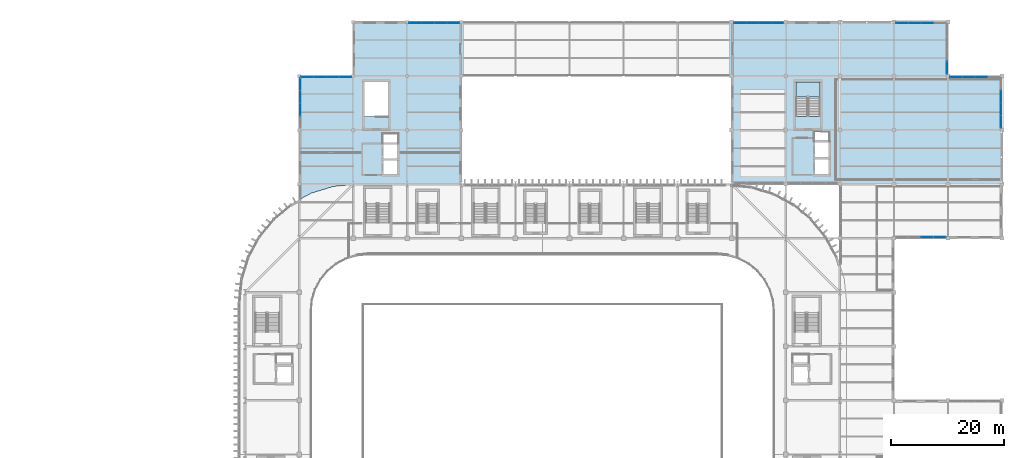
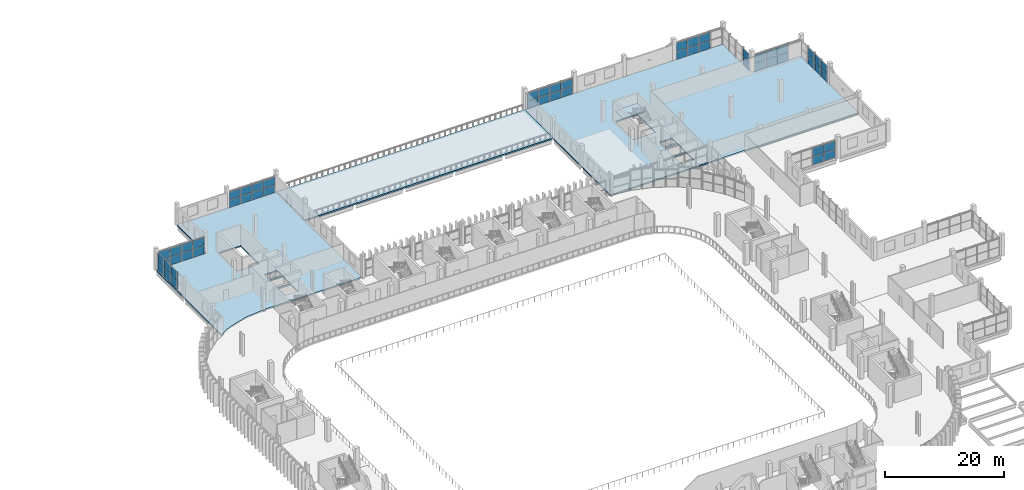
# One storey, part 42 of 75: 54 plates, 4 slabs, 10 elements without a shape of their own.
"""IFC4 building model written with IfcOpenShell, lengths in metres."""

from ifc_helpers import new_model, si_unit, direction, frame, origin, origin_2d, place, context, subcontext, project, spatial, polyline, rectangle, outline, extrude, material, layer, layer_set, type_object, element, aggregate, save


model = new_model("IFC4")

# Units and contexts
model_context = context("Model", 3, precision=1e-05, world=origin(), true_north=direction((0.0, 1.0)))
body_context = subcontext(model_context, "Body", "Model", "MODEL_VIEW")
ifc_project = project(units=[si_unit("LENGTHUNIT", "METRE"), si_unit("AREAUNIT", "SQUARE_METRE"), si_unit("VOLUMEUNIT", "CUBIC_METRE"), si_unit("PLANEANGLEUNIT", "RADIAN"), si_unit("MASSUNIT", "GRAM", prefix="KILO")], contexts=[model_context])

# Site, building, storey
site_placement = place(None, origin())
site = spatial("IfcSite", under=ifc_project, at=site_placement, CompositionType="ELEMENT")
building_placement = place(site_placement, origin())
building = spatial("IfcBuilding", under=site, at=building_placement, Name="Caelomonte Colonnade Arena", CompositionType="ELEMENT")
storey_placement = place(building_placement, frame((0.0, 0.0, 14.10009765625)))
storey = spatial("IfcBuildingStorey", under=building, at=storey_placement, Name="L03", CompositionType="ELEMENT", Elevation=14.10009765625)

# Curtain wall, plates
ifc_material_1 = material(Name="Bronze anodised aluminium and low-E glazing", Category="aluminium")
ifc_layer_1 = layer(ifc_material_1, 0.179931640625)
ifc_layer_set_1 = layer_set([ifc_layer_1], Name="Bronze anodised aluminium and low-E glazing")
curtain_wall_type_1 = type_object("IfcCurtainWallType", Name="ENV-CW-CW-L03-96-36", PredefinedType="USERDEFINED", material=ifc_layer_set_1)
curtain_wall_1_placement = place(storey_placement, origin())
curtain_wall_1 = element("IfcCurtainWall", 1, at=curtain_wall_1_placement, inside=storey, type_object=curtain_wall_type_1, Name="L03 unitized curtain wall CW-L03-1776-1058", ObjectType="UNITIZED CURTAIN WALL", PredefinedType="USERDEFINED")
ifc_material_2 = material(Name="Solar-control bronze low-E double glazing", Category="glass")
ifc_layer_2 = layer(ifc_material_2, 0.035888671875)
ifc_layer_set_2 = layer_set([ifc_layer_2], Name="Solar-control bronze low-E double glazing")
plate_type = type_object("IfcPlateType", Name="ENV-CW-PAN36", PredefinedType="CURTAIN_PANEL", material=ifc_layer_set_2)
plate_1_placement = place(storey_placement, frame((178.70751953125, 105.780029296875, 0.06494140625), z_axis=(0.0, 0.0, 1.0), x_axis=(1.0, 0.0, 0.0)))
plate_1 = element("IfcPlate", 2, at=plate_1_placement, type_object=plate_type, Name="CW-L03-96-36 panel 3.1", PredefinedType="CURTAIN_PANEL", context=body_context, shape_type="SweptSolid", body=[
    extrude(rectangle(XDim=2.14990234375, YDim=0.035888671875, at=origin_2d()), origin(), (0.0, 0.0, 1.0), 1.680908203125),
])
plate_2_placement = place(storey_placement, frame((178.70751953125, 105.780029296875, 1.810546875), z_axis=(0.0, 0.0, 1.0), x_axis=(1.0, 0.0, 0.0)))
plate_2 = element("IfcPlate", 3, at=plate_2_placement, type_object=plate_type, Name="CW-L03-96-36 panel 3.2", PredefinedType="CURTAIN_PANEL", context=body_context, shape_type="SweptSolid", body=[
    extrude(rectangle(XDim=2.14990234375, YDim=0.035888671875, at=origin_2d()), origin(), (0.0, 0.0, 1.0), 1.680908203125),
])
plate_3_placement = place(storey_placement, frame((180.90625, 105.780029296875, 0.06494140625), z_axis=(0.0, 0.0, 1.0), x_axis=(1.0, 0.0, 0.0)))
plate_3 = element("IfcPlate", 4, at=plate_3_placement, type_object=plate_type, Name="CW-L03-96-36 panel 4.1", PredefinedType="CURTAIN_PANEL", context=body_context, shape_type="SweptSolid", body=[
    extrude(rectangle(XDim=2.117431640625, YDim=0.035888671875, at=origin_2d()), origin(), (0.0, 0.0, 1.0), 1.680908203125),
])
plate_4_placement = place(storey_placement, frame((180.90625, 105.780029296875, 1.810546875), z_axis=(0.0, 0.0, 1.0), x_axis=(1.0, 0.0, 0.0)))
plate_4 = element("IfcPlate", 5, at=plate_4_placement, type_object=plate_type, Name="CW-L03-96-36 panel 4.2", PredefinedType="CURTAIN_PANEL", context=body_context, shape_type="SweptSolid", body=[
    extrude(rectangle(XDim=2.117431640625, YDim=0.035888671875, at=origin_2d()), origin(), (0.0, 0.0, 1.0), 1.680908203125),
])
aggregate(curtain_wall_1, [plate_1, plate_2, plate_3, plate_4])

ifc_layer_3 = layer(ifc_material_1, 0.179931640625)
ifc_layer_set_3 = layer_set([ifc_layer_3], Name="Bronze anodised aluminium and low-E glazing")
curtain_wall_type_2 = type_object("IfcCurtainWallType", Name="ENV-CW-CW-L03-96-35", PredefinedType="USERDEFINED", material=ifc_layer_set_3)
curtain_wall_2_placement = place(storey_placement, origin())
curtain_wall_2 = element("IfcCurtainWall", 6, at=curtain_wall_2_placement, inside=storey, type_object=curtain_wall_type_2, Name="L03 unitized curtain wall CW-L03-1918-1296", ObjectType="UNITIZED CURTAIN WALL", PredefinedType="USERDEFINED")
plate_5_placement = place(storey_placement, frame((191.820068359375, 126.293701171875, 0.06494140625), z_axis=(0.0, 0.0, 1.0), x_axis=(0.0, 1.0, 0.0)))
plate_5 = element("IfcPlate", 7, at=plate_5_placement, type_object=plate_type, Name="CW-L03-96-35 panel 1.1", PredefinedType="CURTAIN_PANEL", context=body_context, shape_type="SweptSolid", body=[
    extrude(rectangle(XDim=2.117431640625, YDim=0.035888671875, at=origin_2d()), origin(), (0.0, 0.0, 1.0), 1.6474609375),
])
plate_6_placement = place(storey_placement, frame((191.820068359375, 126.293701171875, 1.77734375), z_axis=(0.0, 0.0, 1.0), x_axis=(0.0, 1.0, 0.0)))
plate_6 = element("IfcPlate", 8, at=plate_6_placement, type_object=plate_type, Name="CW-L03-96-35 panel 1.2", PredefinedType="CURTAIN_PANEL", context=body_context, shape_type="SweptSolid", body=[
    extrude(rectangle(XDim=2.117431640625, YDim=0.035888671875, at=origin_2d()), origin(), (0.0, 0.0, 1.0), 1.6474609375),
])
plate_7_placement = place(storey_placement, frame((191.820068359375, 128.492431640625, 0.06494140625), z_axis=(0.0, 0.0, 1.0), x_axis=(0.0, 1.0, 0.0)))
plate_7 = element("IfcPlate", 9, at=plate_7_placement, type_object=plate_type, Name="CW-L03-96-35 panel 2.1", PredefinedType="CURTAIN_PANEL", context=body_context, shape_type="SweptSolid", body=[
    extrude(rectangle(XDim=2.14990234375, YDim=0.035888671875, at=origin_2d()), origin(), (0.0, 0.0, 1.0), 1.6474609375),
])
plate_8_placement = place(storey_placement, frame((191.820068359375, 128.492431640625, 1.77734375), z_axis=(0.0, 0.0, 1.0), x_axis=(0.0, 1.0, 0.0)))
plate_8 = element("IfcPlate", 10, at=plate_8_placement, type_object=plate_type, Name="CW-L03-96-35 panel 2.2", PredefinedType="CURTAIN_PANEL", context=body_context, shape_type="SweptSolid", body=[
    extrude(rectangle(XDim=2.14990234375, YDim=0.035888671875, at=origin_2d()), origin(), (0.0, 0.0, 1.0), 1.6474609375),
])
plate_9_placement = place(storey_placement, frame((191.820068359375, 130.70751953125, 0.06494140625), z_axis=(0.0, 0.0, 1.0), x_axis=(0.0, 1.0, 0.0)))
plate_9 = element("IfcPlate", 11, at=plate_9_placement, type_object=plate_type, Name="CW-L03-96-35 panel 3.1", PredefinedType="CURTAIN_PANEL", context=body_context, shape_type="SweptSolid", body=[
    extrude(rectangle(XDim=2.14990234375, YDim=0.035888671875, at=origin_2d()), origin(), (0.0, 0.0, 1.0), 1.6474609375),
])
plate_10_placement = place(storey_placement, frame((191.820068359375, 130.70751953125, 1.77734375), z_axis=(0.0, 0.0, 1.0), x_axis=(0.0, 1.0, 0.0)))
plate_10 = element("IfcPlate", 12, at=plate_10_placement, type_object=plate_type, Name="CW-L03-96-35 panel 3.2", PredefinedType="CURTAIN_PANEL", context=body_context, shape_type="SweptSolid", body=[
    extrude(rectangle(XDim=2.14990234375, YDim=0.035888671875, at=origin_2d()), origin(), (0.0, 0.0, 1.0), 1.6474609375),
])
aggregate(curtain_wall_2, [plate_5, plate_6, plate_7, plate_8, plate_9, plate_10])

curtain_wall_3_placement = place(storey_placement, origin())
curtain_wall_3 = element("IfcCurtainWall", 13, at=curtain_wall_3_placement, inside=storey, type_object=curtain_wall_type_2, Name="L03 unitized curtain wall CW-L03-1872-1342", ObjectType="UNITIZED CURTAIN WALL", PredefinedType="USERDEFINED")
plate_11_placement = place(storey_placement, frame((188.3076171875, 134.219970703125, 0.06494140625), z_axis=(0.0, 0.0, 1.0), x_axis=(-1.0, 0.0, 0.0)))
plate_11 = element("IfcPlate", 14, at=plate_11_placement, type_object=plate_type, Name="CW-L03-96-35 panel 2.1", PredefinedType="CURTAIN_PANEL", context=body_context, shape_type="SweptSolid", body=[
    extrude(rectangle(XDim=2.14990234375, YDim=0.035888671875, at=origin_2d()), origin(), (0.0, 0.0, 1.0), 1.6474609375),
])
plate_12_placement = place(storey_placement, frame((188.3076171875, 134.219970703125, 1.77734375), z_axis=(0.0, 0.0, 1.0), x_axis=(-1.0, 0.0, 0.0)))
plate_12 = element("IfcPlate", 15, at=plate_12_placement, type_object=plate_type, Name="CW-L03-96-35 panel 2.2", PredefinedType="CURTAIN_PANEL", context=body_context, shape_type="SweptSolid", body=[
    extrude(rectangle(XDim=2.14990234375, YDim=0.035888671875, at=origin_2d()), origin(), (0.0, 0.0, 1.0), 1.6474609375),
])
plate_13_placement = place(storey_placement, frame((186.092529296875, 134.219970703125, 0.06494140625), z_axis=(0.0, 0.0, 1.0), x_axis=(-1.0, 0.0, 0.0)))
plate_13 = element("IfcPlate", 16, at=plate_13_placement, type_object=plate_type, Name="CW-L03-96-35 panel 3.1", PredefinedType="CURTAIN_PANEL", context=body_context, shape_type="SweptSolid", body=[
    extrude(rectangle(XDim=2.14990234375, YDim=0.035888671875, at=origin_2d()), origin(), (0.0, 0.0, 1.0), 1.6474609375),
])
plate_14_placement = place(storey_placement, frame((186.092529296875, 134.219970703125, 1.77734375), z_axis=(0.0, 0.0, 1.0), x_axis=(-1.0, 0.0, 0.0)))
plate_14 = element("IfcPlate", 17, at=plate_14_placement, type_object=plate_type, Name="CW-L03-96-35 panel 3.2", PredefinedType="CURTAIN_PANEL", context=body_context, shape_type="SweptSolid", body=[
    extrude(rectangle(XDim=2.14990234375, YDim=0.035888671875, at=origin_2d()), origin(), (0.0, 0.0, 1.0), 1.6474609375),
])
plate_15_placement = place(storey_placement, frame((183.893798828125, 134.219970703125, 0.06494140625), z_axis=(0.0, 0.0, 1.0), x_axis=(-1.0, 0.0, 0.0)))
plate_15 = element("IfcPlate", 18, at=plate_15_placement, type_object=plate_type, Name="CW-L03-96-35 panel 4.1", PredefinedType="CURTAIN_PANEL", context=body_context, shape_type="SweptSolid", body=[
    extrude(rectangle(XDim=2.117431640625, YDim=0.035888671875, at=origin_2d()), origin(), (0.0, 0.0, 1.0), 1.6474609375),
])
plate_16_placement = place(storey_placement, frame((183.893798828125, 134.219970703125, 1.77734375), z_axis=(0.0, 0.0, 1.0), x_axis=(-1.0, 0.0, 0.0)))
plate_16 = element("IfcPlate", 19, at=plate_16_placement, type_object=plate_type, Name="CW-L03-96-35 panel 4.2", PredefinedType="CURTAIN_PANEL", context=body_context, shape_type="SweptSolid", body=[
    extrude(rectangle(XDim=2.117431640625, YDim=0.035888671875, at=origin_2d()), origin(), (0.0, 0.0, 1.0), 1.6474609375),
])
aggregate(curtain_wall_3, [plate_11, plate_12, plate_13, plate_14, plate_15, plate_16])

curtain_wall_4_placement = place(storey_placement, origin())
curtain_wall_4 = element("IfcCurtainWall", 20, at=curtain_wall_4_placement, inside=storey, type_object=curtain_wall_type_2, Name="L03 unitized curtain wall CW-L03-1822-1392", ObjectType="UNITIZED CURTAIN WALL", PredefinedType="USERDEFINED")
plate_17_placement = place(storey_placement, frame((182.219970703125, 135.893798828125, 0.06494140625), z_axis=(0.0, 0.0, 1.0), x_axis=(0.0, 1.0, 0.0)))
plate_17 = element("IfcPlate", 21, at=plate_17_placement, type_object=plate_type, Name="CW-L03-96-35 panel 1.1", PredefinedType="CURTAIN_PANEL", context=body_context, shape_type="SweptSolid", body=[
    extrude(rectangle(XDim=2.117431640625, YDim=0.035888671875, at=origin_2d()), origin(), (0.0, 0.0, 1.0), 1.6474609375),
])
plate_18_placement = place(storey_placement, frame((182.219970703125, 135.893798828125, 1.77734375), z_axis=(0.0, 0.0, 1.0), x_axis=(0.0, 1.0, 0.0)))
plate_18 = element("IfcPlate", 22, at=plate_18_placement, type_object=plate_type, Name="CW-L03-96-35 panel 1.2", PredefinedType="CURTAIN_PANEL", context=body_context, shape_type="SweptSolid", body=[
    extrude(rectangle(XDim=2.117431640625, YDim=0.035888671875, at=origin_2d()), origin(), (0.0, 0.0, 1.0), 1.6474609375),
])
aggregate(curtain_wall_4, [plate_17, plate_18])

curtain_wall_5_placement = place(storey_placement, origin())
curtain_wall_5 = element("IfcCurtainWall", 23, at=curtain_wall_5_placement, inside=storey, type_object=curtain_wall_type_2, Name="L03 unitized curtain wall CW-L03-1776-1438", ObjectType="UNITIZED CURTAIN WALL", PredefinedType="USERDEFINED")
plate_19_placement = place(storey_placement, frame((178.70751953125, 143.820068359375, 0.06494140625), z_axis=(0.0, 0.0, 1.0), x_axis=(-1.0, 0.0, 0.0)))
plate_19 = element("IfcPlate", 24, at=plate_19_placement, type_object=plate_type, Name="CW-L03-96-35 panel 2.1", PredefinedType="CURTAIN_PANEL", context=body_context, shape_type="SweptSolid", body=[
    extrude(rectangle(XDim=2.14990234375, YDim=0.035888671875, at=origin_2d()), origin(), (0.0, 0.0, 1.0), 1.6474609375),
])
plate_20_placement = place(storey_placement, frame((178.70751953125, 143.820068359375, 1.77734375), z_axis=(0.0, 0.0, 1.0), x_axis=(-1.0, 0.0, 0.0)))
plate_20 = element("IfcPlate", 25, at=plate_20_placement, type_object=plate_type, Name="CW-L03-96-35 panel 2.2", PredefinedType="CURTAIN_PANEL", context=body_context, shape_type="SweptSolid", body=[
    extrude(rectangle(XDim=2.14990234375, YDim=0.035888671875, at=origin_2d()), origin(), (0.0, 0.0, 1.0), 1.6474609375),
])
plate_21_placement = place(storey_placement, frame((176.492431640625, 143.820068359375, 0.06494140625), z_axis=(0.0, 0.0, 1.0), x_axis=(-1.0, 0.0, 0.0)))
plate_21 = element("IfcPlate", 26, at=plate_21_placement, type_object=plate_type, Name="CW-L03-96-35 panel 3.1", PredefinedType="CURTAIN_PANEL", context=body_context, shape_type="SweptSolid", body=[
    extrude(rectangle(XDim=2.14990234375, YDim=0.035888671875, at=origin_2d()), origin(), (0.0, 0.0, 1.0), 1.6474609375),
])
plate_22_placement = place(storey_placement, frame((176.492431640625, 143.820068359375, 1.77734375), z_axis=(0.0, 0.0, 1.0), x_axis=(-1.0, 0.0, 0.0)))
plate_22 = element("IfcPlate", 27, at=plate_22_placement, type_object=plate_type, Name="CW-L03-96-35 panel 3.2", PredefinedType="CURTAIN_PANEL", context=body_context, shape_type="SweptSolid", body=[
    extrude(rectangle(XDim=2.14990234375, YDim=0.035888671875, at=origin_2d()), origin(), (0.0, 0.0, 1.0), 1.6474609375),
])
plate_23_placement = place(storey_placement, frame((174.293701171875, 143.820068359375, 0.06494140625), z_axis=(0.0, 0.0, 1.0), x_axis=(-1.0, 0.0, 0.0)))
plate_23 = element("IfcPlate", 28, at=plate_23_placement, type_object=plate_type, Name="CW-L03-96-35 panel 4.1", PredefinedType="CURTAIN_PANEL", context=body_context, shape_type="SweptSolid", body=[
    extrude(rectangle(XDim=2.117431640625, YDim=0.035888671875, at=origin_2d()), origin(), (0.0, 0.0, 1.0), 1.6474609375),
])
plate_24_placement = place(storey_placement, frame((174.293701171875, 143.820068359375, 1.77734375), z_axis=(0.0, 0.0, 1.0), x_axis=(-1.0, 0.0, 0.0)))
plate_24 = element("IfcPlate", 29, at=plate_24_placement, type_object=plate_type, Name="CW-L03-96-35 panel 4.2", PredefinedType="CURTAIN_PANEL", context=body_context, shape_type="SweptSolid", body=[
    extrude(rectangle(XDim=2.117431640625, YDim=0.035888671875, at=origin_2d()), origin(), (0.0, 0.0, 1.0), 1.6474609375),
])
aggregate(curtain_wall_5, [plate_19, plate_20, plate_21, plate_22, plate_23, plate_24])

ifc_layer_4 = layer(ifc_material_1, 0.179931640625)
ifc_layer_set_4 = layer_set([ifc_layer_4], Name="Bronze anodised aluminium and low-E glazing")
curtain_wall_type_3 = type_object("IfcCurtainWallType", Name="ENV-CW-CW-L03-96-33", PredefinedType="USERDEFINED", material=ifc_layer_set_4)
curtain_wall_6_placement = place(storey_placement, origin())
curtain_wall_6 = element("IfcCurtainWall", 30, at=curtain_wall_6_placement, inside=storey, type_object=curtain_wall_type_3, Name="L03 unitized curtain wall CW-L03-1488-1438", ObjectType="UNITIZED CURTAIN WALL", PredefinedType="USERDEFINED")
plate_25_placement = place(storey_placement, frame((152.106201171875, 143.820068359375, 0.06494140625), z_axis=(0.0, 0.0, 1.0), x_axis=(-1.0, 0.0, 0.0)))
plate_25 = element("IfcPlate", 31, at=plate_25_placement, type_object=plate_type, Name="CW-L03-96-33 panel 1.1", PredefinedType="CURTAIN_PANEL", context=body_context, shape_type="SweptSolid", body=[
    extrude(rectangle(XDim=2.117431640625, YDim=0.035888671875, at=origin_2d()), origin(), (0.0, 0.0, 1.0), 1.558837890625),
])
plate_26_placement = place(storey_placement, frame((152.106201171875, 143.820068359375, 1.68896484375), z_axis=(0.0, 0.0, 1.0), x_axis=(-1.0, 0.0, 0.0)))
plate_26 = element("IfcPlate", 32, at=plate_26_placement, type_object=plate_type, Name="CW-L03-96-33 panel 1.2", PredefinedType="CURTAIN_PANEL", context=body_context, shape_type="SweptSolid", body=[
    extrude(rectangle(XDim=2.117431640625, YDim=0.035888671875, at=origin_2d()), origin(), (0.0, 0.0, 1.0), 1.558837890625),
])
plate_27_placement = place(storey_placement, frame((149.907470703125, 143.820068359375, 0.06494140625), z_axis=(0.0, 0.0, 1.0), x_axis=(-1.0, 0.0, 0.0)))
plate_27 = element("IfcPlate", 33, at=plate_27_placement, type_object=plate_type, Name="CW-L03-96-33 panel 2.1", PredefinedType="CURTAIN_PANEL", context=body_context, shape_type="SweptSolid", body=[
    extrude(rectangle(XDim=2.14990234375, YDim=0.035888671875, at=origin_2d()), origin(), (0.0, 0.0, 1.0), 1.558837890625),
])
plate_28_placement = place(storey_placement, frame((149.907470703125, 143.820068359375, 1.68896484375), z_axis=(0.0, 0.0, 1.0), x_axis=(-1.0, 0.0, 0.0)))
plate_28 = element("IfcPlate", 34, at=plate_28_placement, type_object=plate_type, Name="CW-L03-96-33 panel 2.2", PredefinedType="CURTAIN_PANEL", context=body_context, shape_type="SweptSolid", body=[
    extrude(rectangle(XDim=2.14990234375, YDim=0.035888671875, at=origin_2d()), origin(), (0.0, 0.0, 1.0), 1.558837890625),
])
plate_29_placement = place(storey_placement, frame((147.6923828125, 143.820068359375, 0.06494140625), z_axis=(0.0, 0.0, 1.0), x_axis=(-1.0, 0.0, 0.0)))
plate_29 = element("IfcPlate", 35, at=plate_29_placement, type_object=plate_type, Name="CW-L03-96-33 panel 3.1", PredefinedType="CURTAIN_PANEL", context=body_context, shape_type="SweptSolid", body=[
    extrude(rectangle(XDim=2.14990234375, YDim=0.035888671875, at=origin_2d()), origin(), (0.0, 0.0, 1.0), 1.558837890625),
])
plate_30_placement = place(storey_placement, frame((147.6923828125, 143.820068359375, 1.68896484375), z_axis=(0.0, 0.0, 1.0), x_axis=(-1.0, 0.0, 0.0)))
plate_30 = element("IfcPlate", 36, at=plate_30_placement, type_object=plate_type, Name="CW-L03-96-33 panel 3.2", PredefinedType="CURTAIN_PANEL", context=body_context, shape_type="SweptSolid", body=[
    extrude(rectangle(XDim=2.14990234375, YDim=0.035888671875, at=origin_2d()), origin(), (0.0, 0.0, 1.0), 1.558837890625),
])
plate_31_placement = place(storey_placement, frame((145.49365234375, 143.820068359375, 0.06494140625), z_axis=(0.0, 0.0, 1.0), x_axis=(-1.0, 0.0, 0.0)))
plate_31 = element("IfcPlate", 37, at=plate_31_placement, type_object=plate_type, Name="CW-L03-96-33 panel 4.1", PredefinedType="CURTAIN_PANEL", context=body_context, shape_type="SweptSolid", body=[
    extrude(rectangle(XDim=2.117431640625, YDim=0.035888671875, at=origin_2d()), origin(), (0.0, 0.0, 1.0), 1.558837890625),
])
plate_32_placement = place(storey_placement, frame((145.49365234375, 143.820068359375, 1.68896484375), z_axis=(0.0, 0.0, 1.0), x_axis=(-1.0, 0.0, 0.0)))
plate_32 = element("IfcPlate", 38, at=plate_32_placement, type_object=plate_type, Name="CW-L03-96-33 panel 4.2", PredefinedType="CURTAIN_PANEL", context=body_context, shape_type="SweptSolid", body=[
    extrude(rectangle(XDim=2.117431640625, YDim=0.035888671875, at=origin_2d()), origin(), (0.0, 0.0, 1.0), 1.558837890625),
])
aggregate(curtain_wall_6, [plate_25, plate_26, plate_27, plate_28, plate_29, plate_30, plate_31, plate_32])

curtain_wall_7_placement = place(storey_placement, origin())
curtain_wall_7 = element("IfcCurtainWall", 39, at=curtain_wall_7_placement, inside=storey, type_object=curtain_wall_type_3, Name="L03 unitized curtain wall CW-L03-0912-1438", ObjectType="UNITIZED CURTAIN WALL", PredefinedType="USERDEFINED")
plate_33_placement = place(storey_placement, frame((94.543701171875, 143.820068359375, 0.06494140625), z_axis=(0.0, 0.0, 1.0), x_axis=(-1.0, 0.0, 0.0)))
plate_33 = element("IfcPlate", 40, at=plate_33_placement, type_object=plate_type, Name="CW-L03-96-33 panel 1.1", PredefinedType="CURTAIN_PANEL", context=body_context, shape_type="SweptSolid", body=[
    extrude(rectangle(XDim=2.142578125, YDim=0.035888671875, at=origin_2d()), origin(), (0.0, 0.0, 1.0), 1.558837890625),
])
plate_34_placement = place(storey_placement, frame((94.543701171875, 143.820068359375, 1.68896484375), z_axis=(0.0, 0.0, 1.0), x_axis=(-1.0, 0.0, 0.0)))
plate_34 = element("IfcPlate", 41, at=plate_34_placement, type_object=plate_type, Name="CW-L03-96-33 panel 1.2", PredefinedType="CURTAIN_PANEL", context=body_context, shape_type="SweptSolid", body=[
    extrude(rectangle(XDim=2.142578125, YDim=0.035888671875, at=origin_2d()), origin(), (0.0, 0.0, 1.0), 1.558837890625),
])
plate_35_placement = place(storey_placement, frame((92.320068359375, 143.820068359375, 0.06494140625), z_axis=(0.0, 0.0, 1.0), x_axis=(-1.0, 0.0, 0.0)))
plate_35 = element("IfcPlate", 42, at=plate_35_placement, type_object=plate_type, Name="CW-L03-96-33 panel 2.1", PredefinedType="CURTAIN_PANEL", context=body_context, shape_type="SweptSolid", body=[
    extrude(rectangle(XDim=2.175048828125, YDim=0.035888671875, at=origin_2d()), origin(), (0.0, 0.0, 1.0), 1.558837890625),
])
plate_36_placement = place(storey_placement, frame((92.320068359375, 143.820068359375, 1.68896484375), z_axis=(0.0, 0.0, 1.0), x_axis=(-1.0, 0.0, 0.0)))
plate_36 = element("IfcPlate", 43, at=plate_36_placement, type_object=plate_type, Name="CW-L03-96-33 panel 2.2", PredefinedType="CURTAIN_PANEL", context=body_context, shape_type="SweptSolid", body=[
    extrude(rectangle(XDim=2.175048828125, YDim=0.035888671875, at=origin_2d()), origin(), (0.0, 0.0, 1.0), 1.558837890625),
])
plate_37_placement = place(storey_placement, frame((90.080078125, 143.820068359375, 0.06494140625), z_axis=(0.0, 0.0, 1.0), x_axis=(-1.0, 0.0, 0.0)))
plate_37 = element("IfcPlate", 44, at=plate_37_placement, type_object=plate_type, Name="CW-L03-96-33 panel 3.1", PredefinedType="CURTAIN_PANEL", context=body_context, shape_type="SweptSolid", body=[
    extrude(rectangle(XDim=2.175048828125, YDim=0.035888671875, at=origin_2d()), origin(), (0.0, 0.0, 1.0), 1.558837890625),
])
plate_38_placement = place(storey_placement, frame((90.080078125, 143.820068359375, 1.68896484375), z_axis=(0.0, 0.0, 1.0), x_axis=(-1.0, 0.0, 0.0)))
plate_38 = element("IfcPlate", 45, at=plate_38_placement, type_object=plate_type, Name="CW-L03-96-33 panel 3.2", PredefinedType="CURTAIN_PANEL", context=body_context, shape_type="SweptSolid", body=[
    extrude(rectangle(XDim=2.175048828125, YDim=0.035888671875, at=origin_2d()), origin(), (0.0, 0.0, 1.0), 1.558837890625),
])
plate_39_placement = place(storey_placement, frame((87.856201171875, 143.820068359375, 0.06494140625), z_axis=(0.0, 0.0, 1.0), x_axis=(-1.0, 0.0, 0.0)))
plate_39 = element("IfcPlate", 46, at=plate_39_placement, type_object=plate_type, Name="CW-L03-96-33 panel 4.1", PredefinedType="CURTAIN_PANEL", context=body_context, shape_type="SweptSolid", body=[
    extrude(rectangle(XDim=2.142578125, YDim=0.035888671875, at=origin_2d()), origin(), (0.0, 0.0, 1.0), 1.558837890625),
])
plate_40_placement = place(storey_placement, frame((87.856201171875, 143.820068359375, 1.68896484375), z_axis=(0.0, 0.0, 1.0), x_axis=(-1.0, 0.0, 0.0)))
plate_40 = element("IfcPlate", 47, at=plate_40_placement, type_object=plate_type, Name="CW-L03-96-33 panel 4.2", PredefinedType="CURTAIN_PANEL", context=body_context, shape_type="SweptSolid", body=[
    extrude(rectangle(XDim=2.142578125, YDim=0.035888671875, at=origin_2d()), origin(), (0.0, 0.0, 1.0), 1.558837890625),
])
aggregate(curtain_wall_7, [plate_33, plate_34, plate_35, plate_36, plate_37, plate_38, plate_39, plate_40])

curtain_wall_8_placement = place(storey_placement, origin())
curtain_wall_8 = element("IfcCurtainWall", 48, at=curtain_wall_8_placement, inside=storey, type_object=curtain_wall_type_1, Name="L03 unitized curtain wall CW-L03-0720-1342", ObjectType="UNITIZED CURTAIN WALL", PredefinedType="USERDEFINED")
plate_41_placement = place(storey_placement, frame((75.34375, 134.219970703125, 0.06494140625), z_axis=(0.0, 0.0, 1.0), x_axis=(-1.0, 0.0, 0.0)))
plate_41 = element("IfcPlate", 49, at=plate_41_placement, type_object=plate_type, Name="CW-L03-96-36 panel 1.1", PredefinedType="CURTAIN_PANEL", context=body_context, shape_type="SweptSolid", body=[
    extrude(rectangle(XDim=2.142578125, YDim=0.035888671875, at=origin_2d()), origin(), (0.0, 0.0, 1.0), 1.680908203125),
])
plate_42_placement = place(storey_placement, frame((75.34375, 134.219970703125, 1.810546875), z_axis=(0.0, 0.0, 1.0), x_axis=(-1.0, 0.0, 0.0)))
plate_42 = element("IfcPlate", 50, at=plate_42_placement, type_object=plate_type, Name="CW-L03-96-36 panel 1.2", PredefinedType="CURTAIN_PANEL", context=body_context, shape_type="SweptSolid", body=[
    extrude(rectangle(XDim=2.142578125, YDim=0.035888671875, at=origin_2d()), origin(), (0.0, 0.0, 1.0), 1.680908203125),
])
plate_43_placement = place(storey_placement, frame((73.1201171875, 134.219970703125, 0.06494140625), z_axis=(0.0, 0.0, 1.0), x_axis=(-1.0, 0.0, 0.0)))
plate_43 = element("IfcPlate", 51, at=plate_43_placement, type_object=plate_type, Name="CW-L03-96-36 panel 2.1", PredefinedType="CURTAIN_PANEL", context=body_context, shape_type="SweptSolid", body=[
    extrude(rectangle(XDim=2.175048828125, YDim=0.035888671875, at=origin_2d()), origin(), (0.0, 0.0, 1.0), 1.680908203125),
])
plate_44_placement = place(storey_placement, frame((73.1201171875, 134.219970703125, 1.810546875), z_axis=(0.0, 0.0, 1.0), x_axis=(-1.0, 0.0, 0.0)))
plate_44 = element("IfcPlate", 52, at=plate_44_placement, type_object=plate_type, Name="CW-L03-96-36 panel 2.2", PredefinedType="CURTAIN_PANEL", context=body_context, shape_type="SweptSolid", body=[
    extrude(rectangle(XDim=2.175048828125, YDim=0.035888671875, at=origin_2d()), origin(), (0.0, 0.0, 1.0), 1.680908203125),
])
plate_45_placement = place(storey_placement, frame((70.8798828125, 134.219970703125, 0.06494140625), z_axis=(0.0, 0.0, 1.0), x_axis=(-1.0, 0.0, 0.0)))
plate_45 = element("IfcPlate", 53, at=plate_45_placement, type_object=plate_type, Name="CW-L03-96-36 panel 3.1", PredefinedType="CURTAIN_PANEL", context=body_context, shape_type="SweptSolid", body=[
    extrude(rectangle(XDim=2.175048828125, YDim=0.035888671875, at=origin_2d()), origin(), (0.0, 0.0, 1.0), 1.680908203125),
])
plate_46_placement = place(storey_placement, frame((70.8798828125, 134.219970703125, 1.810546875), z_axis=(0.0, 0.0, 1.0), x_axis=(-1.0, 0.0, 0.0)))
plate_46 = element("IfcPlate", 54, at=plate_46_placement, type_object=plate_type, Name="CW-L03-96-36 panel 3.2", PredefinedType="CURTAIN_PANEL", context=body_context, shape_type="SweptSolid", body=[
    extrude(rectangle(XDim=2.175048828125, YDim=0.035888671875, at=origin_2d()), origin(), (0.0, 0.0, 1.0), 1.680908203125),
])
plate_47_placement = place(storey_placement, frame((68.65625, 134.219970703125, 0.06494140625), z_axis=(0.0, 0.0, 1.0), x_axis=(-1.0, 0.0, 0.0)))
plate_47 = element("IfcPlate", 55, at=plate_47_placement, type_object=plate_type, Name="CW-L03-96-36 panel 4.1", PredefinedType="CURTAIN_PANEL", context=body_context, shape_type="SweptSolid", body=[
    extrude(rectangle(XDim=2.142578125, YDim=0.035888671875, at=origin_2d()), origin(), (0.0, 0.0, 1.0), 1.680908203125),
])
plate_48_placement = place(storey_placement, frame((68.65625, 134.219970703125, 1.810546875), z_axis=(0.0, 0.0, 1.0), x_axis=(-1.0, 0.0, 0.0)))
plate_48 = element("IfcPlate", 56, at=plate_48_placement, type_object=plate_type, Name="CW-L03-96-36 panel 4.2", PredefinedType="CURTAIN_PANEL", context=body_context, shape_type="SweptSolid", body=[
    extrude(rectangle(XDim=2.142578125, YDim=0.035888671875, at=origin_2d()), origin(), (0.0, 0.0, 1.0), 1.680908203125),
])
aggregate(curtain_wall_8, [plate_41, plate_42, plate_43, plate_44, plate_45, plate_46, plate_47, plate_48])

curtain_wall_9_placement = place(storey_placement, origin())
curtain_wall_9 = element("IfcCurtainWall", 57, at=curtain_wall_9_placement, inside=storey, type_object=curtain_wall_type_1, Name="L03 unitized curtain wall CW-L03-0674-1296", ObjectType="UNITIZED CURTAIN WALL", PredefinedType="USERDEFINED")
plate_49_placement = place(storey_placement, frame((67.3798828125, 132.94384765625, 0.06494140625), z_axis=(0.0, 0.0, 1.0), x_axis=(0.0, -1.0, 0.0)))
plate_49 = element("IfcPlate", 58, at=plate_49_placement, type_object=plate_type, Name="CW-L03-96-36 panel 1.1", PredefinedType="CURTAIN_PANEL", context=body_context, shape_type="SweptSolid", body=[
    extrude(rectangle(XDim=2.142578125, YDim=0.035888671875, at=origin_2d()), origin(), (0.0, 0.0, 1.0), 1.721435546875),
])
plate_50_placement = place(storey_placement, frame((67.3798828125, 132.94384765625, 1.8515625), z_axis=(0.0, 0.0, 1.0), x_axis=(0.0, -1.0, 0.0)))
plate_50 = element("IfcPlate", 59, at=plate_50_placement, type_object=plate_type, Name="CW-L03-96-36 panel 1.2", PredefinedType="CURTAIN_PANEL", context=body_context, shape_type="SweptSolid", body=[
    extrude(rectangle(XDim=2.142578125, YDim=0.035888671875, at=origin_2d()), origin(), (0.0, 0.0, 1.0), 1.721435546875),
])
plate_51_placement = place(storey_placement, frame((67.3798828125, 130.719970703125, 0.06494140625), z_axis=(0.0, 0.0, 1.0), x_axis=(0.0, -1.0, 0.0)))
plate_51 = element("IfcPlate", 60, at=plate_51_placement, type_object=plate_type, Name="CW-L03-96-36 panel 2.1", PredefinedType="CURTAIN_PANEL", context=body_context, shape_type="SweptSolid", body=[
    extrude(rectangle(XDim=2.175048828125, YDim=0.035888671875, at=origin_2d()), origin(), (0.0, 0.0, 1.0), 1.721435546875),
])
plate_52_placement = place(storey_placement, frame((67.3798828125, 130.719970703125, 1.8515625), z_axis=(0.0, 0.0, 1.0), x_axis=(0.0, -1.0, 0.0)))
plate_52 = element("IfcPlate", 61, at=plate_52_placement, type_object=plate_type, Name="CW-L03-96-36 panel 2.2", PredefinedType="CURTAIN_PANEL", context=body_context, shape_type="SweptSolid", body=[
    extrude(rectangle(XDim=2.175048828125, YDim=0.035888671875, at=origin_2d()), origin(), (0.0, 0.0, 1.0), 1.721435546875),
])
plate_53_placement = place(storey_placement, frame((67.3798828125, 128.47998046875, 0.06494140625), z_axis=(0.0, 0.0, 1.0), x_axis=(0.0, -1.0, 0.0)))
plate_53 = element("IfcPlate", 62, at=plate_53_placement, type_object=plate_type, Name="CW-L03-96-36 panel 3.1", PredefinedType="CURTAIN_PANEL", context=body_context, shape_type="SweptSolid", body=[
    extrude(rectangle(XDim=2.175048828125, YDim=0.035888671875, at=origin_2d()), origin(), (0.0, 0.0, 1.0), 1.721435546875),
])
plate_54_placement = place(storey_placement, frame((67.3798828125, 128.47998046875, 1.8515625), z_axis=(0.0, 0.0, 1.0), x_axis=(0.0, -1.0, 0.0)))
plate_54 = element("IfcPlate", 63, at=plate_54_placement, type_object=plate_type, Name="CW-L03-96-36 panel 3.2", PredefinedType="CURTAIN_PANEL", context=body_context, shape_type="SweptSolid", body=[
    extrude(rectangle(XDim=2.175048828125, YDim=0.035888671875, at=origin_2d()), origin(), (0.0, 0.0, 1.0), 1.721435546875),
])
aggregate(curtain_wall_9, [plate_49, plate_50, plate_51, plate_52, plate_53, plate_54])

# Stair, slab
ifc_material_3 = material(Name="Concrete C40/50", Category="concrete")
stair_type = type_object("IfcStairType", Name="INT-ST-WING45", PredefinedType="HALF_TURN_STAIR", material=ifc_material_3)
stair_placement = place(storey_placement, origin())
stair = element("IfcStair", 64, at=stair_placement, inside=storey, type_object=stair_type, Name="L03 Core C6 exit stair ST-06", PredefinedType="HALF_TURN_STAIR")
ifc_layer_5 = layer(ifc_material_3, 0.199951171875)
ifc_layer_set_5 = layer_set([ifc_layer_5], Name="Concrete C40/50")
slab_type_1 = type_object("IfcSlabType", Name="INT-SL-LAND20", PredefinedType="LANDING", material=ifc_layer_set_5)
slab_1_placement = place(storey_placement, frame((0.0, 0.0, 2.0498046875)))
slab_1 = element("IfcSlab", 65, at=slab_1_placement, type_object=slab_type_1, Name="ST-06 landing 1", PredefinedType="LANDING", context=body_context, shape_type="SweptSolid", body=[
    extrude(outline(polyline([(159.699951171875, 130.669921875), (159.699951171875, 133.35009765625), (155.39990234375, 133.35009765625), (155.39990234375, 130.669921875), (159.699951171875, 130.669921875)])), origin(), (0.0, 0.0, 1.0), 0.2001953125),
])
aggregate(stair, [slab_1])

# Slabs
ifc_layer_6 = layer(ifc_material_3, 0.280029296875)
ifc_layer_set_6 = layer_set([ifc_layer_6], Name="Concrete C40/50")
slab_type_2 = type_object("IfcSlabType", Name="STR-SL-FLR28", PredefinedType="FLOOR", material=ifc_layer_set_6)
slab_2_placement = place(storey_placement, frame((0.0, 0.0, -0.280029296875)))
element("IfcSlab", 66, at=slab_2_placement, inside=storey, type_object=slab_type_2, Name="L03 structural floor slab SL-L03-V4-NW", PredefinedType="FLOOR", context=body_context, shape_type="SweptSolid", body=[
    extrude(outline(polyline([(96.0, 115.199951171875), (96.0, 144.0), (76.800048828125, 144.0), (76.800048828125, 134.39990234375), (67.199951171875, 134.39990234375), (67.199951171875, 112.445068359375), (69.363525390625, 113.6015625), (73.302978515625, 114.79638671875), (77.39990234375, 115.199951171875), (96.0, 115.199951171875)]), holes=[polyline([(82.179931640625, 116.97998046875), (82.179931640625, 119.419921875), (84.6201171875, 119.419921875), (84.6201171875, 116.97998046875), (82.179931640625, 116.97998046875)]), polyline([(82.179931640625, 119.780029296875), (82.179931640625, 122.219970703125), (84.6201171875, 122.219970703125), (84.6201171875, 119.780029296875), (82.179931640625, 119.780029296875)]), polyline([(82.179931640625, 122.580078125), (82.179931640625, 124.02001953125), (84.6201171875, 124.02001953125), (84.6201171875, 122.580078125), (82.179931640625, 122.580078125)]), polyline([(78.800048828125, 127.199951171875), (78.800048828125, 133.35009765625), (83.0, 133.35009765625), (83.0, 127.199951171875), (78.800048828125, 127.199951171875)])]), origin(), (0.0, 0.0, 1.0), 0.280029296875),
])
slab_3_placement = place(storey_placement, frame((0.0, 0.0, -0.280029296875)))
element("IfcSlab", 67, at=slab_3_placement, inside=storey, type_object=slab_type_2, Name="L03 structural floor slab SL-L03-V4-NE", PredefinedType="FLOOR", context=body_context, shape_type="SweptSolid", body=[
    extrude(outline(polyline([(144.0, 115.199951171875), (192.0, 115.199951171875), (192.0, 134.39990234375), (182.39990234375, 134.39990234375), (182.39990234375, 144.0), (144.0, 144.0), (144.0, 115.199951171875)]), holes=[polyline([(158.780029296875, 116.97998046875), (158.780029296875, 119.6201171875), (161.219970703125, 119.6201171875), (161.219970703125, 116.97998046875), (158.780029296875, 116.97998046875)]), polyline([(158.780029296875, 119.97998046875), (158.780029296875, 122.6201171875), (161.219970703125, 122.6201171875), (161.219970703125, 119.97998046875), (158.780029296875, 119.97998046875)]), polyline([(158.780029296875, 122.97998046875), (158.780029296875, 124.419921875), (161.219970703125, 124.419921875), (161.219970703125, 122.97998046875), (158.780029296875, 122.97998046875)]), polyline([(155.39990234375, 127.25), (155.39990234375, 133.35009765625), (159.699951171875, 133.35009765625), (159.699951171875, 127.25), (155.39990234375, 127.25)])]), origin(), (0.0, 0.0, 1.0), 0.280029296875),
])
ifc_layer_7 = layer(ifc_material_3, 0.280029296875)
ifc_layer_set_7 = layer_set([ifc_layer_7], Name="Concrete C40/50")
slab_type_3 = type_object("IfcSlabType", Name="STR-SL-TERR28", PredefinedType="ROOF", material=ifc_layer_set_7)
slab_4_placement = place(storey_placement, frame((0.0, 0.0, -0.280029296875)))
element("IfcSlab", 68, at=slab_4_placement, inside=storey, type_object=slab_type_3, Name="Peristyle North Courtyard Terrace", PredefinedType="ROOF", context=body_context, shape_type="SweptSolid", body=[
    extrude(outline(polyline([(96.0, 134.39990234375), (144.0, 134.39990234375), (144.0, 144.0), (96.0, 144.0), (96.0, 134.39990234375)])), origin(), (0.0, 0.0, 1.0), 0.280029296875),
])

save(model, "model.ifc")
